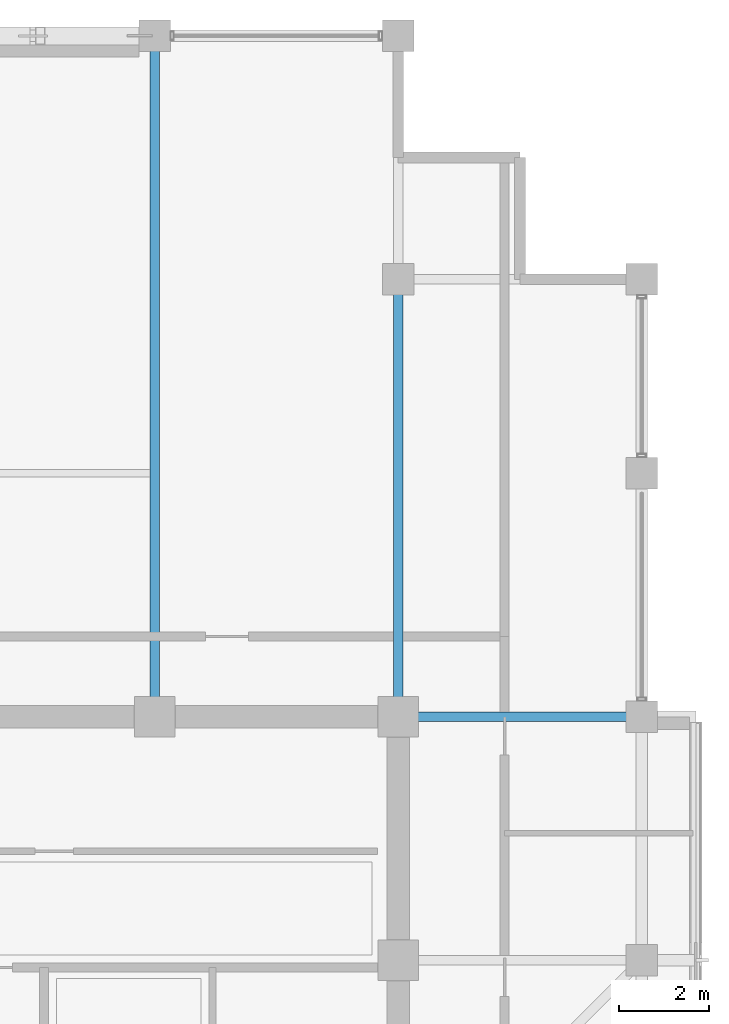
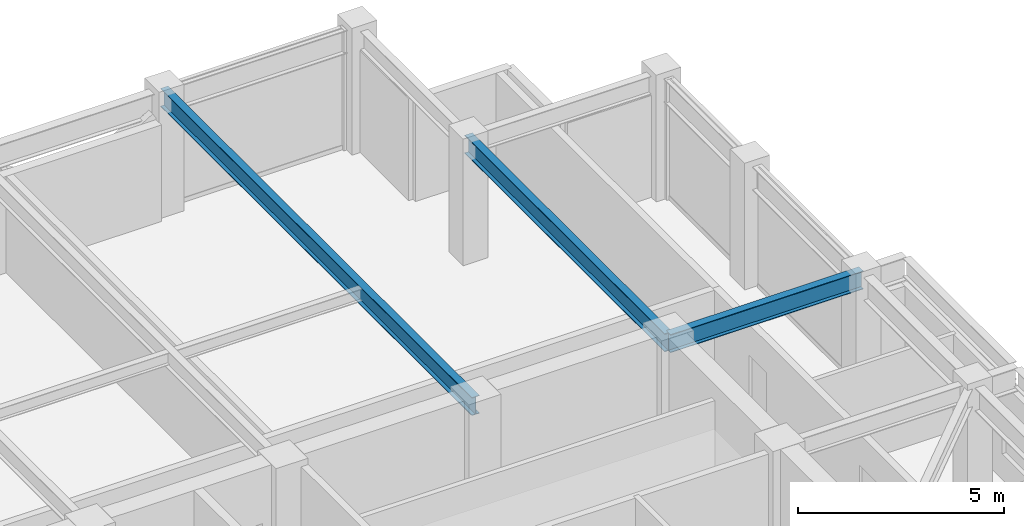
# One storey, part 17 of 29: 3 beams.
"""IFC4 building model written with IfcOpenShell, lengths in metres."""

from ifc_helpers import new_model, si_unit, direction, frame, origin, origin_2d, place, context, subcontext, project, spatial, i_section, extrude, material, material_profile, profile_set, type_object, element, save


model = new_model("IFC4")

# Units and contexts
model_context = context("Model", 3, precision=1e-05, world=origin(), true_north=direction((0.0, 1.0)))
body_context = subcontext(model_context, "Body", "Model", "MODEL_VIEW")
ifc_project = project(units=[si_unit("LENGTHUNIT", "METRE"), si_unit("AREAUNIT", "SQUARE_METRE"), si_unit("VOLUMEUNIT", "CUBIC_METRE"), si_unit("PLANEANGLEUNIT", "RADIAN"), si_unit("MASSUNIT", "GRAM", prefix="KILO")], contexts=[model_context])

# Site, building, storey
site_placement = place(None, origin())
site = spatial("IfcSite", under=ifc_project, at=site_placement, CompositionType="ELEMENT")
building_placement = place(site_placement, origin())
building = spatial("IfcBuilding", under=site, at=building_placement, Name="Surkhivell Harbour Commons", CompositionType="ELEMENT")
storey_placement = place(building_placement, frame((0.0, 0.0, 277.5)))
storey = spatial("IfcBuildingStorey", under=building, at=storey_placement, Name="L72", CompositionType="ELEMENT", Elevation=277.5)

# Beams
ifc_material = material(Name="Steel S355", Category="steel")
ifc_material_profile = material_profile(ifc_material, i_section(OverallWidth=0.2099609375, OverallDepth=0.537109375, WebThickness=0.0107421875, FlangeThickness=0.017333984375, at=origin_2d()), Name="UB533x210x101")
ifc_profile_set = profile_set([ifc_material_profile], Name="Steel S355")
beam_type = type_object("IfcBeamType", Name="BM-GRD-533B", PredefinedType="BEAM", material=ifc_profile_set)
beam_1_placement = place(storey_placement, frame((5.39990234375, 10.800048828125, 3.301513671875), z_axis=(0.0, 1.0, 0.0), x_axis=(-1.0, 0.0, 0.0)))
element("IfcBeam", 1, at=beam_1_placement, inside=storey, type_object=beam_type, Name="L72 Floor Girder (5.4,10.8)", PredefinedType="BEAM", context=body_context, shape_type="SweptSolid", body=[
    extrude(i_section(OverallWidth=0.2099609375, OverallDepth=0.537109375, WebThickness=0.0107421875, FlangeThickness=0.017333984375, at=origin_2d()), origin(), (0.0, 0.0, 1.0), 15.099853515625),
])
beam_2_placement = place(storey_placement, frame((10.800048828125, 10.800048828125, 3.301513671875), z_axis=(0.0, 1.0, 0.0), x_axis=(-1.0, 0.0, 0.0)))
element("IfcBeam", 2, at=beam_2_placement, inside=storey, type_object=beam_type, Name="L72 Floor Girder (10.8,10.8)", PredefinedType="BEAM", context=body_context, shape_type="SweptSolid", body=[
    extrude(i_section(OverallWidth=0.2099609375, OverallDepth=0.537109375, WebThickness=0.0107421875, FlangeThickness=0.017333984375, at=origin_2d()), origin(), (0.0, 0.0, 1.0), 9.699951171875),
])
beam_3_placement = place(storey_placement, frame((10.800048828125, 10.800048828125, 3.301513671875), z_axis=(1.0, 0.0, 0.0), x_axis=(0.0, 1.0, 0.0)))
element("IfcBeam", 3, at=beam_3_placement, inside=storey, type_object=beam_type, Name="L72 Floor Girder (10.8,10.8)", PredefinedType="BEAM", context=body_context, shape_type="SweptSolid", body=[
    extrude(i_section(OverallWidth=0.2099609375, OverallDepth=0.537109375, WebThickness=0.0107421875, FlangeThickness=0.017333984375, at=origin_2d()), origin(), (0.0, 0.0, 1.0), 5.39990234375),
])

save(model, "model.ifc")
